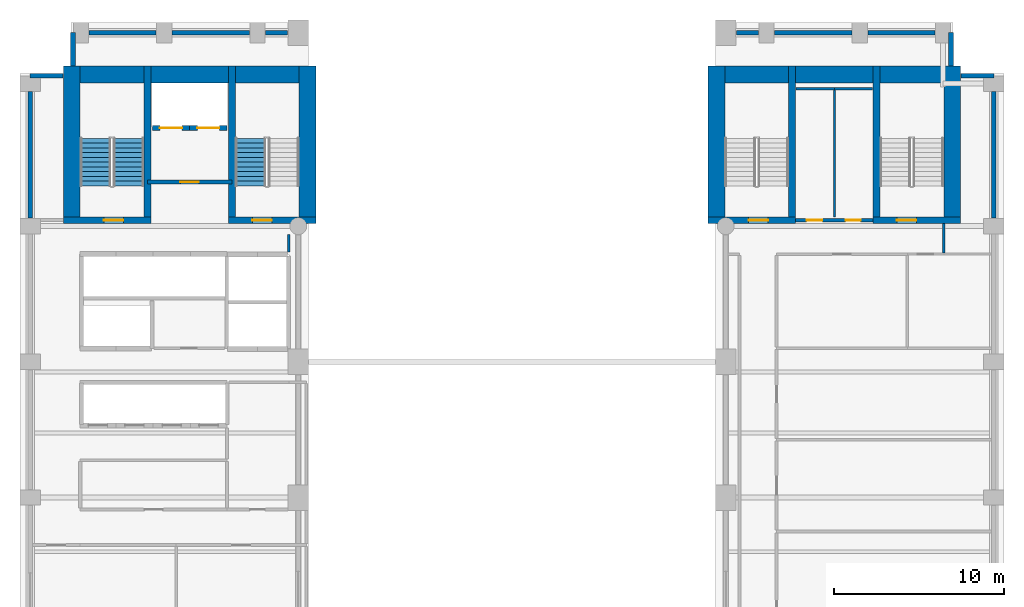
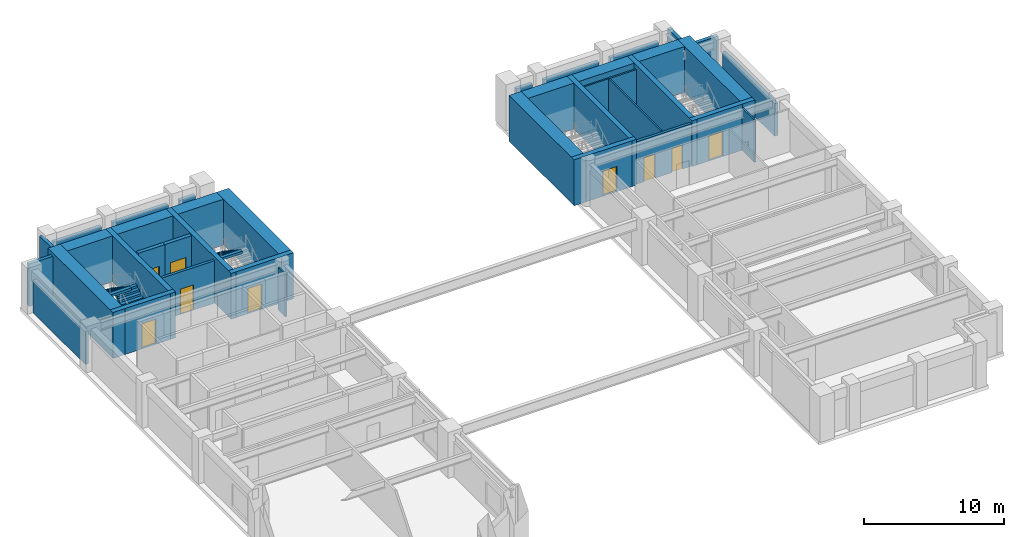
# One storey, part 4 of 7: 35 walls, 9 doors, 3 stair flights, 9 openings, 2 elements without a shape of their own.
"""IFC4 building model written with IfcOpenShell, lengths in metres."""

from ifc_helpers import new_model, si_unit, direction, frame, frame_2d, origin, place, context, subcontext, project, spatial, polyline, rectangle, outline, extrude, material, layer, layer_set, type_object, element, fill, aggregate, save


model = new_model("IFC4")

# Units and contexts
model_context = context("Model", 3, precision=1e-05, world=origin(), true_north=direction((0.0, 1.0)))
body_context = subcontext(model_context, "Body", "Model", "MODEL_VIEW")
ifc_project = project(units=[si_unit("LENGTHUNIT", "METRE"), si_unit("AREAUNIT", "SQUARE_METRE"), si_unit("VOLUMEUNIT", "CUBIC_METRE"), si_unit("PLANEANGLEUNIT", "RADIAN"), si_unit("MASSUNIT", "GRAM", prefix="KILO")], contexts=[model_context])

# Site, building, storey
site_placement = place(None, origin())
site = spatial("IfcSite", under=ifc_project, at=site_placement, CompositionType="ELEMENT")
building_placement = place(site_placement, origin())
building = spatial("IfcBuilding", under=site, at=building_placement, Name="Sulina Concourse Tower", CompositionType="ELEMENT")
storey_placement = place(building_placement, frame((0.0, 0.0, 26.60009765625)))
storey = spatial("IfcBuildingStorey", under=building, at=storey_placement, Name="L06", CompositionType="ELEMENT", Elevation=26.60009765625)

# Wall, opening, door
ifc_material_1 = material(Name="Concrete C50/60", Category="concrete")
ifc_layer_1 = layer(ifc_material_1, 0.300048828125)
ifc_layer_set_1 = layer_set([ifc_layer_1], Name="Concrete C50/60")
wall_type_1 = type_object("IfcWallType", Name="Core Lift Hoistway Wall 300mm", PredefinedType="SOLIDWALL", material=ifc_layer_set_1)
wall_1_placement = place(storey_placement, frame((10.0, 39.780029296875, 0.0), z_axis=(0.0, 0.0, 1.0), x_axis=(-1.0, 0.0, 0.0)))
wall_1 = element("IfcWall", 1, at=wall_1_placement, inside=storey, type_object=wall_type_1, Name="L06 hoistway enclosure wall FFL-1", PredefinedType="SOLIDWALL", context=body_context, shape_type="SweptSolid", body=[
    extrude(rectangle(XDim=2.199951171875, YDim=0.300048828125, at=frame_2d((1.10009765625, 0.0))), origin(), (0.0, 0.0, 1.0), 4.0),
])
opening_1_placement = place(wall_1_placement, frame((0.449951171875, 0.0, 0.0)))
opening_1 = element("IfcOpeningElement", 2, at=opening_1_placement, cuts=wall_1, Name="Opening LD-02", PredefinedType="OPENING", context=body_context, shape_type="SweptSolid", body=[
    extrude(rectangle(XDim=1.300048828125, YDim=2.25, at=frame_2d((0.64990234375, 1.125))), frame((0.0, 0.159912109375, 0.0), z_axis=(0.0, -1.0, 0.0), x_axis=(1.0, 0.0, 0.0)), (0.0, 0.0, 1.0), 0.320068359375),
])
ifc_material_2 = material(Name="Stainless steel lift landing door", Category="steel")
ifc_layer_2 = layer(ifc_material_2, 0.050048828125)
ifc_layer_set_2 = layer_set([ifc_layer_2], Name="Stainless steel lift landing door")
door_type_1 = type_object("IfcDoorType", Name="Firefighting Lift Sliding Landing Door 1300x2250", OperationType="SLIDING_TO_RIGHT", PredefinedType="DOOR", material=ifc_layer_set_2)
door_1_placement = place(opening_1_placement, origin())
door_1 = element("IfcDoor", 3, at=door_1_placement, inside=storey, type_object=door_type_1, Name="L06 lift landing sliding door FFL-1", OperationType="SLIDING_TO_LEFT", OverallHeight=2.25, OverallWidth=1.300048828125, PredefinedType="DOOR", context=body_context, shape_type="SweptSolid", body=[
    extrude(rectangle(XDim=1.300048828125, YDim=2.25, at=frame_2d((0.64990234375, 1.125))), frame((0.0, 0.02490234375, 0.0), z_axis=(0.0, -1.0, 0.0), x_axis=(1.0, 0.0, 0.0)), (0.0, 0.0, 1.0), 0.050048828125),
])
fill(opening_1, door_1)

wall_2_placement = place(storey_placement, frame((12.199951171875, 39.780029296875, 0.0), z_axis=(0.0, 0.0, 1.0), x_axis=(-1.0, 0.0, 0.0)))
wall_2 = element("IfcWall", 4, at=wall_2_placement, inside=storey, type_object=wall_type_1, Name="L06 hoistway enclosure wall FFL-2", PredefinedType="SOLIDWALL", context=body_context, shape_type="SweptSolid", body=[
    extrude(rectangle(XDim=2.199951171875, YDim=0.300048828125, at=frame_2d((1.10009765625, 0.0))), origin(), (0.0, 0.0, 1.0), 4.0),
])
opening_2_placement = place(wall_2_placement, frame((0.449951171875, 0.0, 0.0)))
opening_2 = element("IfcOpeningElement", 5, at=opening_2_placement, cuts=wall_2, Name="Opening LD-02", PredefinedType="OPENING", context=body_context, shape_type="SweptSolid", body=[
    extrude(rectangle(XDim=1.300048828125, YDim=2.25, at=frame_2d((0.64990234375, 1.125))), frame((0.0, 0.159912109375, 0.0), z_axis=(0.0, -1.0, 0.0), x_axis=(1.0, 0.0, 0.0)), (0.0, 0.0, 1.0), 0.320068359375),
])
door_2_placement = place(opening_2_placement, origin())
door_2 = element("IfcDoor", 6, at=door_2_placement, inside=storey, type_object=door_type_1, Name="L06 lift landing sliding door FFL-2", OperationType="SLIDING_TO_RIGHT", OverallHeight=2.25, OverallWidth=1.300048828125, PredefinedType="DOOR", context=body_context, shape_type="SweptSolid", body=[
    extrude(rectangle(XDim=1.300048828125, YDim=2.25, at=frame_2d((0.64990234375, 1.125))), frame((0.0, 0.02490234375, 0.0), z_axis=(0.0, -1.0, 0.0), x_axis=(1.0, 0.0, 0.0)), (0.0, 0.0, 1.0), 0.050048828125),
])
fill(opening_2, door_2)

ifc_material_3 = material(Name="Gypsum board on steel stud", Category="steel")
ifc_layer_3 = layer(ifc_material_3, 0.219970703125)
ifc_layer_set_3 = layer_set([ifc_layer_3], Name="Gypsum board on steel stud")
wall_type_2 = type_object("IfcWallType", Name="Fire-Rated Lobby & Compartment Wall 220mm", PredefinedType="PARTITIONING", material=ifc_layer_set_3)
wall_3_placement = place(storey_placement, frame((7.510009765625, 36.60009765625, 0.0), z_axis=(0.0, 0.0, 1.0), x_axis=(1.0, 0.0, 0.0)))
wall_3 = element("IfcWall", 7, at=wall_3_placement, inside=storey, type_object=wall_type_2, Name="L06 firefighting lobby south fire wall", PredefinedType="PARTITIONING", context=body_context, shape_type="SweptSolid", body=[
    extrude(rectangle(XDim=4.97998046875, YDim=0.219970703125, at=frame_2d((2.489990234375, 0.0))), origin(), (0.0, 0.0, 1.0), 3.699951171875),
])
opening_3_placement = place(wall_3_placement, frame((1.93994140625, 0.0, 0.0)))
opening_3 = element("IfcOpeningElement", 8, at=opening_3_placement, cuts=wall_3, Name="Opening DR-47", PredefinedType="OPENING", context=body_context, shape_type="SweptSolid", body=[
    extrude(rectangle(XDim=1.10009765625, YDim=2.199951171875, at=frame_2d((0.550048828125, 1.10009765625))), frame((0.0, 0.119873046875, 0.0), z_axis=(0.0, -1.0, 0.0), x_axis=(1.0, 0.0, 0.0)), (0.0, 0.0, 1.0), 0.239990234375),
])
ifc_material_4 = material(Name="Galvanised steel acoustic fire leaf", Category="steel")
ifc_layer_4 = layer(ifc_material_4, 0.054931640625)
ifc_layer_set_4 = layer_set([ifc_layer_4], Name="Galvanised steel acoustic fire leaf")
door_type_2 = type_object("IfcDoorType", Name="Firefighting Lobby Fire Door 1100x2200", OperationType="NOTDEFINED", PredefinedType="DOOR", material=ifc_layer_set_4)
door_3_placement = place(opening_3_placement, origin())
door_3 = element("IfcDoor", 9, at=door_3_placement, inside=storey, type_object=door_type_2, Name="L06 firefighting lobby fire door", OperationType="SINGLE_SWING_LEFT", OverallHeight=2.199951171875, OverallWidth=1.10009765625, PredefinedType="DOOR", context=body_context, shape_type="SweptSolid", body=[
    extrude(rectangle(XDim=1.10009765625, YDim=2.199951171875, at=frame_2d((0.550048828125, 1.10009765625))), frame((0.0, 0.02490234375, 0.0), z_axis=(0.0, -1.0, 0.0), x_axis=(1.0, 0.0, 0.0)), (0.0, 0.0, 1.0), 0.050048828125),
])
fill(opening_3, door_3)

# Wall, openings, doors
wall_4_placement = place(storey_placement, frame((45.719970703125, 34.35009765625, 0.0), z_axis=(0.0, 0.0, 1.0), x_axis=(1.0, 0.0, 0.0)))
wall_4 = element("IfcWall", 10, at=wall_4_placement, inside=storey, type_object=wall_type_2, Name="L06 east core south lobby wall", PredefinedType="PARTITIONING", context=body_context, shape_type="SweptSolid", body=[
    extrude(rectangle(XDim=4.56005859375, YDim=0.219970703125, at=frame_2d((2.280029296875, 0.0))), origin(), (0.0, 0.0, 1.0), 3.699951171875),
])
opening_4_placement = place(wall_4_placement, frame((0.64990234375, 0.0, 0.0)))
opening_4 = element("IfcOpeningElement", 11, at=opening_4_placement, cuts=wall_4, Name="Opening DR-61", PredefinedType="OPENING", context=body_context, shape_type="SweptSolid", body=[
    extrude(rectangle(XDim=0.919921875, YDim=2.10009765625, at=frame_2d((0.4599609375, 1.050048828125))), frame((0.0, 0.119873046875, 0.0), z_axis=(0.0, -1.0, 0.0), x_axis=(1.0, 0.0, 0.0)), (0.0, 0.0, 1.0), 0.239990234375),
])
opening_5_placement = place(wall_4_placement, frame((2.949951171875, 0.0, 0.0)))
opening_5 = element("IfcOpeningElement", 12, at=opening_5_placement, cuts=wall_4, Name="Opening DR-38", PredefinedType="OPENING", context=body_context, shape_type="SweptSolid", body=[
    extrude(rectangle(XDim=0.8798828125, YDim=2.10009765625, at=frame_2d((0.43994140625, 1.050048828125))), frame((0.0, 0.119873046875, 0.0), z_axis=(0.0, -1.0, 0.0), x_axis=(1.0, 0.0, 0.0)), (0.0, 0.0, 1.0), 0.239990234375),
])
ifc_material_5 = material(Name="Oak-veneered fire door leaf")
ifc_layer_5 = layer(ifc_material_5, 0.050048828125)
ifc_layer_set_5 = layer_set([ifc_layer_5], Name="Oak-veneered fire door leaf")
door_type_3 = type_object("IfcDoorType", Name="Accessible WC Door 920x2100", OperationType="NOTDEFINED", PredefinedType="DOOR", material=ifc_layer_set_5)
door_4_placement = place(opening_4_placement, origin())
door_4 = element("IfcDoor", 13, at=door_4_placement, inside=storey, type_object=door_type_3, Name="L06 east core accessible wc door", OperationType="SINGLE_SWING_LEFT", OverallHeight=2.10009765625, OverallWidth=0.919921875, PredefinedType="DOOR", context=body_context, shape_type="SweptSolid", body=[
    extrude(rectangle(XDim=0.919921875, YDim=2.10009765625, at=frame_2d((0.4599609375, 1.050048828125))), frame((0.0, 0.02490234375, 0.0), z_axis=(0.0, -1.0, 0.0), x_axis=(1.0, 0.0, 0.0)), (0.0, 0.0, 1.0), 0.050048828125),
])
fill(opening_4, door_4)
ifc_material_6 = material(Name="Galvanised steel acoustic fire leaf", Category="steel")
ifc_layer_6 = layer(ifc_material_6, 0.050048828125)
ifc_layer_set_6 = layer_set([ifc_layer_6], Name="Galvanised steel acoustic fire leaf")
door_type_4 = type_object("IfcDoorType", Name="Service Riser Fire Door 880x2100", OperationType="NOTDEFINED", PredefinedType="DOOR", material=ifc_layer_set_6)
door_5_placement = place(opening_5_placement, origin())
door_5 = element("IfcDoor", 14, at=door_5_placement, inside=storey, type_object=door_type_4, Name="L06 east core store door", OperationType="SINGLE_SWING_RIGHT", OverallHeight=2.10009765625, OverallWidth=0.8798828125, PredefinedType="DOOR", context=body_context, shape_type="SweptSolid", body=[
    extrude(rectangle(XDim=0.8798828125, YDim=2.10009765625, at=frame_2d((0.43994140625, 1.050048828125))), frame((0.0, 0.02490234375, 0.0), z_axis=(0.0, -1.0, 0.0), x_axis=(1.0, 0.0, 0.0)), (0.0, 0.0, 1.0), 0.050048828125),
])
fill(opening_5, door_5)

# Walls
ifc_material_7 = material(Name="Gypsum board on steel stud", Category="steel")
ifc_layer_7 = layer(ifc_material_7, 0.14990234375)
ifc_layer_set_7 = layer_set([ifc_layer_7], Name="Gypsum board on steel stud")
wall_type_3 = type_object("IfcWallType", Name="Inter-Tenancy Acoustic Partition 150mm", PredefinedType="PARTITIONING", material=ifc_layer_set_7)
wall_5_placement = place(storey_placement, frame((48.0, 42.10009765625, 0.0), z_axis=(0.0, 0.0, 1.0), x_axis=(1.0, 0.0, 0.0)))
element("IfcWall", 15, at=wall_5_placement, inside=storey, type_object=wall_type_3, Name="L06 interior partition 023", PredefinedType="PARTITIONING", context=body_context, shape_type="SweptSolid", body=[
    extrude(rectangle(XDim=2.25, YDim=0.14990234375, at=frame_2d((1.125, 0.0))), origin(), (0.0, 0.0, 1.0), 3.699951171875),
])
wall_6_placement = place(storey_placement, frame((15.85009765625, 32.469970703125, 0.0), z_axis=(0.0, 0.0, 1.0), x_axis=(0.0, 1.0, 0.0)))
element("IfcWall", 16, at=wall_6_placement, inside=storey, type_object=wall_type_3, Name="L06 interior partition 028", PredefinedType="PARTITIONING", context=body_context, shape_type="SweptSolid", body=[
    extrude(rectangle(XDim=1.030029296875, YDim=0.14990234375, at=frame_2d((0.51513671875, 0.0))), origin(), (0.0, 0.0, 1.0), 3.699951171875),
])
wall_7_placement = place(storey_placement, frame((54.449951171875, 32.41259765625, 0.0), z_axis=(0.0, 0.0, 1.0), x_axis=(0.0, 1.0, 0.0)))
element("IfcWall", 17, at=wall_7_placement, inside=storey, type_object=wall_type_3, Name="L06 interior partition 041", PredefinedType="PARTITIONING", context=body_context, shape_type="SweptSolid", body=[
    extrude(rectangle(XDim=1.7373046875, YDim=0.14990234375, at=frame_2d((0.86865234375, 0.0))), origin(), (0.0, 0.0, 1.0), 3.699951171875),
])

# Wall, opening, door
ifc_material_8 = material(Name="Concrete C60/75", Category="concrete")
ifc_layer_8 = layer(ifc_material_8, 0.39990234375)
ifc_layer_set_8 = layer_set([ifc_layer_8], Name="Concrete C60/75")
wall_type_4 = type_object("IfcWallType", Name="Protected Stair Core Shear Wall 400mm", PredefinedType="SHEAR", material=ifc_layer_set_8)
wall_8_placement = place(storey_placement, frame((2.550048828125, 34.35009765625, 0.0), z_axis=(0.0, 0.0, 1.0), x_axis=(1.0, 0.0, 0.0)))
wall_8 = element("IfcWall", 18, at=wall_8_placement, inside=storey, type_object=wall_type_4, Name="L06 west core shear wall CW-WS1", PredefinedType="SHEAR", context=body_context, shape_type="SweptSolid", body=[
    extrude(rectangle(XDim=5.159912109375, YDim=0.39990234375, at=frame_2d((2.580078125, 0.0))), origin(), (0.0, 0.0, 1.0), 4.0),
])
opening_6_placement = place(wall_8_placement, frame((2.39990234375, 0.0, 0.0)))
opening_6 = element("IfcOpeningElement", 19, at=opening_6_placement, cuts=wall_8, Name="Opening DR-60", PredefinedType="OPENING", context=body_context, shape_type="SweptSolid", body=[
    extrude(rectangle(XDim=1.14990234375, YDim=2.199951171875, at=frame_2d((0.574951171875, 1.10009765625))), frame((0.0, 0.2099609375, 0.0), z_axis=(0.0, -1.0, 0.0), x_axis=(1.0, 0.0, 0.0)), (0.0, 0.0, 1.0), 0.419921875),
])
ifc_material_9 = material(Name="Galvanised steel acoustic fire leaf", Category="steel")
ifc_layer_9 = layer(ifc_material_9, 0.054931640625)
ifc_layer_set_9 = layer_set([ifc_layer_9], Name="Galvanised steel acoustic fire leaf")
door_type_5 = type_object("IfcDoorType", Name="Protected Exit Stair Fire Door 1150x2200", OperationType="NOTDEFINED", PredefinedType="DOOR", material=ifc_layer_set_9)
door_6_placement = place(opening_6_placement, origin())
door_6 = element("IfcDoor", 20, at=door_6_placement, inside=storey, type_object=door_type_5, Name="L06 stair ST-1 lobby fire door", OperationType="SINGLE_SWING_LEFT", OverallHeight=2.199951171875, OverallWidth=1.14990234375, PredefinedType="DOOR", context=body_context, shape_type="SweptSolid", body=[
    extrude(rectangle(XDim=1.14990234375, YDim=2.199951171875, at=frame_2d((0.574951171875, 1.10009765625))), frame((0.0, 0.02490234375, 0.0), z_axis=(0.0, -1.0, 0.0), x_axis=(1.0, 0.0, 0.0)), (0.0, 0.0, 1.0), 0.050048828125),
])
fill(opening_6, door_6)

wall_9_placement = place(storey_placement, frame((12.2900390625, 34.35009765625, 0.0), z_axis=(0.0, 0.0, 1.0), x_axis=(1.0, 0.0, 0.0)))
wall_9 = element("IfcWall", 21, at=wall_9_placement, inside=storey, type_object=wall_type_4, Name="L06 west core shear wall CW-WS2", PredefinedType="SHEAR", context=body_context, shape_type="SweptSolid", body=[
    extrude(rectangle(XDim=5.159912109375, YDim=0.39990234375, at=frame_2d((2.580078125, 0.0))), origin(), (0.0, 0.0, 1.0), 4.0),
])
opening_7_placement = place(wall_9_placement, frame((1.39990234375, 0.0, 0.0)))
opening_7 = element("IfcOpeningElement", 22, at=opening_7_placement, cuts=wall_9, Name="Opening DR-60", PredefinedType="OPENING", context=body_context, shape_type="SweptSolid", body=[
    extrude(rectangle(XDim=1.14990234375, YDim=2.199951171875, at=frame_2d((0.574951171875, 1.10009765625))), frame((0.0, 0.2099609375, 0.0), z_axis=(0.0, -1.0, 0.0), x_axis=(1.0, 0.0, 0.0)), (0.0, 0.0, 1.0), 0.419921875),
])
door_7_placement = place(opening_7_placement, origin())
door_7 = element("IfcDoor", 23, at=door_7_placement, inside=storey, type_object=door_type_5, Name="L06 stair ST-2 lobby fire door", OperationType="SINGLE_SWING_RIGHT", OverallHeight=2.199951171875, OverallWidth=1.14990234375, PredefinedType="DOOR", context=body_context, shape_type="SweptSolid", body=[
    extrude(rectangle(XDim=1.14990234375, YDim=2.199951171875, at=frame_2d((0.574951171875, 1.10009765625))), frame((0.0, 0.02490234375, 0.0), z_axis=(0.0, -1.0, 0.0), x_axis=(1.0, 0.0, 0.0)), (0.0, 0.0, 1.0), 0.050048828125),
])
fill(opening_7, door_7)

# Walls
for number, where, z_axis, x_axis, name in (
    (24, (7.510009765625, 34.14990234375, 0.0), (0.0, 0.0, 1.0), (0.0, 1.0, 0.0), "L06 west core shear wall SW-ST1"),
    (25, (12.489990234375, 34.14990234375, 0.0), (0.0, 0.0, 1.0), (0.0, 1.0, 0.0), "L06 west core shear wall SW-ST2"),
):
    element("IfcWall", number, at=place(storey_placement, frame(where, z_axis=z_axis, x_axis=x_axis)), inside=storey, type_object=wall_type_4, Name=name, PredefinedType="SHEAR", context=body_context, shape_type="SweptSolid", body=[
        extrude(rectangle(XDim=9.280029296875, YDim=0.39990234375, at=frame_2d((4.64013671875, 0.0))), origin(), (0.0, 0.0, 1.0), 4.0),
    ])

# Wall, opening, door
wall_10_placement = place(storey_placement, frame((40.550048828125, 34.35009765625, 0.0), z_axis=(0.0, 0.0, 1.0), x_axis=(1.0, 0.0, 0.0)))
wall_10 = element("IfcWall", 26, at=wall_10_placement, inside=storey, type_object=wall_type_4, Name="L06 east core shear wall CW-ES1", PredefinedType="SHEAR", context=body_context, shape_type="SweptSolid", body=[
    extrude(rectangle(XDim=5.159912109375, YDim=0.39990234375, at=frame_2d((2.580078125, 0.0))), origin(), (0.0, 0.0, 1.0), 4.0),
])
opening_8_placement = place(wall_10_placement, frame((2.39990234375, 0.0, 0.0)))
opening_8 = element("IfcOpeningElement", 27, at=opening_8_placement, cuts=wall_10, Name="Opening DR-60", PredefinedType="OPENING", context=body_context, shape_type="SweptSolid", body=[
    extrude(rectangle(XDim=1.14990234375, YDim=2.199951171875, at=frame_2d((0.574951171875, 1.10009765625))), frame((0.0, 0.2099609375, 0.0), z_axis=(0.0, -1.0, 0.0), x_axis=(1.0, 0.0, 0.0)), (0.0, 0.0, 1.0), 0.419921875),
])
door_8_placement = place(opening_8_placement, origin())
door_8 = element("IfcDoor", 28, at=door_8_placement, inside=storey, type_object=door_type_5, Name="L06 stair ST-3 south lobby fire door", OperationType="SINGLE_SWING_RIGHT", OverallHeight=2.199951171875, OverallWidth=1.14990234375, PredefinedType="DOOR", context=body_context, shape_type="SweptSolid", body=[
    extrude(rectangle(XDim=1.14990234375, YDim=2.199951171875, at=frame_2d((0.574951171875, 1.10009765625))), frame((0.0, 0.02490234375, 0.0), z_axis=(0.0, -1.0, 0.0), x_axis=(1.0, 0.0, 0.0)), (0.0, 0.0, 1.0), 0.050048828125),
])
fill(opening_8, door_8)

# Wall
wall_11_placement = place(storey_placement, frame((45.510009765625, 34.14990234375, 0.0), z_axis=(0.0, 0.0, 1.0), x_axis=(0.0, 1.0, 0.0)))
element("IfcWall", 29, at=wall_11_placement, inside=storey, type_object=wall_type_4, Name="L06 east core shear wall SW-ST3", PredefinedType="SHEAR", context=body_context, shape_type="SweptSolid", body=[
    extrude(rectangle(XDim=9.280029296875, YDim=0.39990234375, at=frame_2d((4.64013671875, 0.0))), origin(), (0.0, 0.0, 1.0), 4.0),
])

# Wall, opening, door
wall_12_placement = place(storey_placement, frame((50.2900390625, 34.35009765625, 0.0), z_axis=(0.0, 0.0, 1.0), x_axis=(1.0, 0.0, 0.0)))
wall_12 = element("IfcWall", 30, at=wall_12_placement, inside=storey, type_object=wall_type_4, Name="L06 east core shear wall CW-ES2", PredefinedType="SHEAR", context=body_context, shape_type="SweptSolid", body=[
    extrude(rectangle(XDim=5.159912109375, YDim=0.39990234375, at=frame_2d((2.580078125, 0.0))), origin(), (0.0, 0.0, 1.0), 4.0),
])
opening_9_placement = place(wall_12_placement, frame((1.39990234375, 0.0, 0.0)))
opening_9 = element("IfcOpeningElement", 31, at=opening_9_placement, cuts=wall_12, Name="Opening DR-60", PredefinedType="OPENING", context=body_context, shape_type="SweptSolid", body=[
    extrude(rectangle(XDim=1.14990234375, YDim=2.199951171875, at=frame_2d((0.574951171875, 1.10009765625))), frame((0.0, 0.2099609375, 0.0), z_axis=(0.0, -1.0, 0.0), x_axis=(1.0, 0.0, 0.0)), (0.0, 0.0, 1.0), 0.419921875),
])
door_9_placement = place(opening_9_placement, origin())
door_9 = element("IfcDoor", 32, at=door_9_placement, inside=storey, type_object=door_type_5, Name="L06 stair ST-4 south lobby fire door", OperationType="SINGLE_SWING_LEFT", OverallHeight=2.199951171875, OverallWidth=1.14990234375, PredefinedType="DOOR", context=body_context, shape_type="SweptSolid", body=[
    extrude(rectangle(XDim=1.14990234375, YDim=2.199951171875, at=frame_2d((0.574951171875, 1.10009765625))), frame((0.0, 0.02490234375, 0.0), z_axis=(0.0, -1.0, 0.0), x_axis=(1.0, 0.0, 0.0)), (0.0, 0.0, 1.0), 0.050048828125),
])
fill(opening_9, door_9)

# Walls
wall_13_placement = place(storey_placement, frame((50.489990234375, 34.14990234375, 0.0), z_axis=(0.0, 0.0, 1.0), x_axis=(0.0, 1.0, 0.0)))
element("IfcWall", 33, at=wall_13_placement, inside=storey, type_object=wall_type_4, Name="L06 east core shear wall SW-ST4", PredefinedType="SHEAR", context=body_context, shape_type="SweptSolid", body=[
    extrude(rectangle(XDim=9.280029296875, YDim=0.39990234375, at=frame_2d((4.64013671875, 0.0))), origin(), (0.0, 0.0, 1.0), 4.0),
])
ifc_material_10 = material(Name="Concrete C80/95", Category="concrete")
ifc_layer_10 = layer(ifc_material_10, 1.0)
ifc_layer_set_10 = layer_set([ifc_layer_10], Name="Concrete C80/95")
wall_type_5 = type_object("IfcWallType", Name="Rear Core Shear Wall 1000mm", PredefinedType="SHEAR", material=ifc_layer_set_10)
wall_14_placement = place(storey_placement, frame((2.550048828125, 42.929931640625, 0.0), z_axis=(0.0, 0.0, 1.0), x_axis=(1.0, 0.0, 0.0)))
element("IfcWall", 34, at=wall_14_placement, inside=storey, type_object=wall_type_5, Name="L06 west core shear wall CW-WN", PredefinedType="SHEAR", context=body_context, shape_type="SweptSolid", body=[
    extrude(rectangle(XDim=14.89990234375, YDim=1.0, at=frame_2d((7.449951171875, 0.0))), origin(), (0.0, 0.0, 1.0), 4.0),
])
for number, where, z_axis, x_axis, name in (
    (35, (3.050048828125, 34.14990234375, 0.0), (0.0, 0.0, 1.0), (0.0, 1.0, 0.0), "L06 west core shear wall CW-WW"),
    (36, (16.949951171875, 34.14990234375, 0.0), (0.0, 0.0, 1.0), (0.0, 1.0, 0.0), "L06 west core shear wall CW-WE"),
):
    element("IfcWall", number, at=place(storey_placement, frame(where, z_axis=z_axis, x_axis=x_axis)), inside=storey, type_object=wall_type_5, Name=name, PredefinedType="SHEAR", context=body_context, shape_type="SweptSolid", body=[
        extrude(rectangle(XDim=9.280029296875, YDim=1.0, at=frame_2d((4.64013671875, 0.0))), origin(), (0.0, 0.0, 1.0), 4.0),
    ])
wall_15_placement = place(storey_placement, frame((40.550048828125, 42.929931640625, 0.0), z_axis=(0.0, 0.0, 1.0), x_axis=(1.0, 0.0, 0.0)))
element("IfcWall", 37, at=wall_15_placement, inside=storey, type_object=wall_type_5, Name="L06 east core shear wall CW-EN", PredefinedType="SHEAR", context=body_context, shape_type="SweptSolid", body=[
    extrude(rectangle(XDim=14.89990234375, YDim=1.0, at=frame_2d((7.449951171875, 0.0))), origin(), (0.0, 0.0, 1.0), 4.0),
])
for number, where, z_axis, x_axis, name in (
    (38, (41.050048828125, 34.14990234375, 0.0), (0.0, 0.0, 1.0), (0.0, 1.0, 0.0), "L06 east core shear wall CW-EW"),
    (39, (54.949951171875, 34.14990234375, 0.0), (0.0, 0.0, 1.0), (0.0, 1.0, 0.0), "L06 east core shear wall CW-EE"),
):
    element("IfcWall", number, at=place(storey_placement, frame(where, z_axis=z_axis, x_axis=x_axis)), inside=storey, type_object=wall_type_5, Name=name, PredefinedType="SHEAR", context=body_context, shape_type="SweptSolid", body=[
        extrude(rectangle(XDim=9.280029296875, YDim=1.0, at=frame_2d((4.64013671875, 0.0))), origin(), (0.0, 0.0, 1.0), 4.0),
    ])
ifc_material_11 = material(Name="Precast concrete C50/60", Category="concrete")
ifc_layer_11 = layer(ifc_material_11, 0.280029296875)
ifc_layer_set_11 = layer_set([ifc_layer_11], Name="Precast concrete C50/60")
wall_type_6 = type_object("IfcWallType", Name="Typical Precast Masonry-Frame Facade Wall 280mm", PredefinedType="SOLIDWALL", material=ifc_layer_set_11)
wall_16_placement = place(storey_placement, frame((0.60009765625, 34.469970703125, 0.0), z_axis=(0.0, 0.0, 1.0), x_axis=(0.0, 1.0, 0.0)))
element("IfcWall", 40, at=wall_16_placement, inside=storey, type_object=wall_type_6, Name="L06 exterior precast wall W5", PredefinedType="SOLIDWALL", context=body_context, shape_type="SweptSolid", body=[
    extrude(rectangle(XDim=7.4599609375, YDim=0.280029296875, at=frame_2d((3.72998046875, 0.0))), origin(), (0.0, 0.0, 1.0), 2.849853515625),
])
wall_17_placement = place(storey_placement, frame((4.070068359375, 45.39990234375, 0.0), z_axis=(0.0, 0.0, 1.0), x_axis=(1.0, 0.0, 0.0)))
element("IfcWall", 41, at=wall_17_placement, inside=storey, type_object=wall_type_6, Name="L06 exterior precast wall N1", PredefinedType="SOLIDWALL", context=body_context, shape_type="SweptSolid", body=[
    extrude(rectangle(XDim=3.9599609375, YDim=0.280029296875, at=frame_2d((1.97998046875, 0.0))), origin(), (0.0, 0.0, 1.0), 2.849853515625),
])
wall_18_placement = place(storey_placement, frame((8.969970703125, 45.39990234375, 0.0), z_axis=(0.0, 0.0, 1.0), x_axis=(1.0, 0.0, 0.0)))
element("IfcWall", 42, at=wall_18_placement, inside=storey, type_object=wall_type_6, Name="L06 exterior precast wall N2", PredefinedType="SOLIDWALL", context=body_context, shape_type="SweptSolid", body=[
    extrude(rectangle(XDim=4.56005859375, YDim=0.280029296875, at=frame_2d((2.280029296875, 0.0))), origin(), (0.0, 0.0, 1.0), 2.849853515625),
])
for number, where, z_axis, x_axis, name in (
    (43, (14.469970703125, 45.39990234375, 0.0), (0.0, 0.0, 1.0), (1.0, 0.0, 0.0), "L06 exterior precast wall N3"),
    (44, (42.219970703125, 45.39990234375, 0.0), (0.0, 0.0, 1.0), (1.0, 0.0, 0.0), "L06 exterior precast wall N5"),
):
    element("IfcWall", number, at=place(storey_placement, frame(where, z_axis=z_axis, x_axis=x_axis)), inside=storey, type_object=wall_type_6, Name=name, PredefinedType="SOLIDWALL", context=body_context, shape_type="SweptSolid", body=[
        extrude(rectangle(XDim=1.31005859375, YDim=0.280029296875, at=frame_2d((0.655029296875, 0.0))), origin(), (0.0, 0.0, 1.0), 2.849853515625),
    ])
wall_19_placement = place(storey_placement, frame((44.469970703125, 45.39990234375, 0.0), z_axis=(0.0, 0.0, 1.0), x_axis=(1.0, 0.0, 0.0)))
element("IfcWall", 45, at=wall_19_placement, inside=storey, type_object=wall_type_6, Name="L06 exterior precast wall N6", PredefinedType="SOLIDWALL", context=body_context, shape_type="SweptSolid", body=[
    extrude(rectangle(XDim=4.56005859375, YDim=0.280029296875, at=frame_2d((2.280029296875, 0.0))), origin(), (0.0, 0.0, 1.0), 2.849853515625),
])
wall_20_placement = place(storey_placement, frame((49.969970703125, 45.39990234375, 0.0), z_axis=(0.0, 0.0, 1.0), x_axis=(1.0, 0.0, 0.0)))
element("IfcWall", 46, at=wall_20_placement, inside=storey, type_object=wall_type_6, Name="L06 exterior precast wall N7", PredefinedType="SOLIDWALL", context=body_context, shape_type="SweptSolid", body=[
    extrude(rectangle(XDim=3.9599609375, YDim=0.280029296875, at=frame_2d((1.97998046875, 0.0))), origin(), (0.0, 0.0, 1.0), 2.849853515625),
])
wall_21_placement = place(storey_placement, frame((57.39990234375, 41.929931640625, 0.0), z_axis=(0.0, 0.0, 1.0), x_axis=(0.0, -1.0, 0.0)))
element("IfcWall", 47, at=wall_21_placement, inside=storey, type_object=wall_type_6, Name="L06 exterior precast wall E5", PredefinedType="SOLIDWALL", context=body_context, shape_type="SweptSolid", body=[
    extrude(rectangle(XDim=7.4599609375, YDim=0.280029296875, at=frame_2d((3.72998046875, 0.0))), origin(), (0.0, 0.0, 1.0), 2.849853515625),
])
wall_22_placement = place(storey_placement, frame((0.60009765625, 42.8701171875, 0.0), z_axis=(0.0, 0.0, 1.0), x_axis=(1.0, 0.0, 0.0)))
element("IfcWall", 48, at=wall_22_placement, inside=storey, type_object=wall_type_6, Name="L06 exterior precast wall CNW1", PredefinedType="SOLIDWALL", context=body_context, shape_type="SweptSolid", body=[
    extrude(rectangle(XDim=1.94482421875, YDim=0.280029296875, at=frame_2d((0.972412109375, 0.0))), origin(), (0.0, 0.0, 1.0), 3.699951171875),
])
for number, where, z_axis, x_axis, name in (
    (49, (3.1298828125, 43.43505859375, 0.0), (0.0, 0.0, 1.0), (0.0, 1.0, 0.0), "L06 exterior precast wall CNW2"),
    (50, (54.8701171875, 45.39990234375, 0.0), (0.0, 0.0, 1.0), (0.0, -1.0, 0.0), "L06 exterior precast wall CNE1"),
):
    element("IfcWall", number, at=place(storey_placement, frame(where, z_axis=z_axis, x_axis=x_axis)), inside=storey, type_object=wall_type_6, Name=name, PredefinedType="SOLIDWALL", context=body_context, shape_type="SweptSolid", body=[
        extrude(rectangle(XDim=1.96484375, YDim=0.280029296875, at=frame_2d((0.982421875, 0.0))), origin(), (0.0, 0.0, 1.0), 3.699951171875),
    ])
wall_23_placement = place(storey_placement, frame((55.455078125, 42.8701171875, 0.0), z_axis=(0.0, 0.0, 1.0), x_axis=(1.0, 0.0, 0.0)))
element("IfcWall", 51, at=wall_23_placement, inside=storey, type_object=wall_type_6, Name="L06 exterior precast wall CNE2", PredefinedType="SOLIDWALL", context=body_context, shape_type="SweptSolid", body=[
    extrude(rectangle(XDim=1.94482421875, YDim=0.280029296875, at=frame_2d((0.972412109375, 0.0))), origin(), (0.0, 0.0, 1.0), 3.699951171875),
])
ifc_material_12 = material(Name="Gypsum board on steel stud", Category="steel")
ifc_layer_12 = layer(ifc_material_12, 0.125)
ifc_layer_set_12 = layer_set([ifc_layer_12], Name="Gypsum board on steel stud")
wall_type_7 = type_object("IfcWallType", Name="Wet-Area Moisture-Resistant Partition 125mm", PredefinedType="PARTITIONING", material=ifc_layer_set_12)
wall_24_placement = place(storey_placement, frame((45.75, 42.10009765625, 0.0), z_axis=(0.0, 0.0, 1.0), x_axis=(1.0, 0.0, 0.0)))
element("IfcWall", 52, at=wall_24_placement, inside=storey, type_object=wall_type_7, Name="L06 interior partition 022", PredefinedType="PARTITIONING", context=body_context, shape_type="SweptSolid", body=[
    extrude(rectangle(XDim=2.25, YDim=0.125, at=frame_2d((1.125, 0.0))), origin(), (0.0, 0.0, 1.0), 3.699951171875),
])
wall_25_placement = place(storey_placement, frame((48.0, 34.550048828125, 0.0), z_axis=(0.0, 0.0, 1.0), x_axis=(0.0, 1.0, 0.0)))
element("IfcWall", 53, at=wall_25_placement, inside=storey, type_object=wall_type_7, Name="L06 interior partition 039", PredefinedType="PARTITIONING", context=body_context, shape_type="SweptSolid", body=[
    extrude(rectangle(XDim=7.474853515625, YDim=0.125, at=frame_2d((3.7373046875, 0.0))), origin(), (0.0, 0.0, 1.0), 3.699951171875),
])

# Stair, stair flights
ifc_material_13 = material(Name="Concrete C50/60", Category="concrete")
stair_type = type_object("IfcStairType", Name="Primary Core Dog-Leg Exit Stair 1800mm", PredefinedType="HALF_TURN_STAIR", material=ifc_material_13)
stair_1_placement = place(storey_placement, origin())
stair_1 = element("IfcStair", 54, at=stair_1_placement, inside=storey, type_object=stair_type, Name="L06 ST-1", PredefinedType="HALF_TURN_STAIR")
ifc_material_14 = material(Name="Concrete C50/60", Category="concrete")
stair_flight_type = type_object("IfcStairFlightType", Name="Primary Core Dog-Leg Exit Stair 1800mm Flight", PredefinedType="STRAIGHT", material=ifc_material_14)
stair_flight_1_placement = place(storey_placement, frame((6.405029296875, 36.375, 0.0), z_axis=(0.0, 0.0, 1.0), x_axis=(0.0, 1.0, 0.0)))
stair_flight_1 = element("IfcStairFlight", 55, at=stair_flight_1_placement, type_object=stair_flight_type, Name="ST-1 flight 1", NumberOfRisers=11, NumberOfTreads=10, PredefinedType="STRAIGHT", RiserHeight=0.181818182, TreadLength=0.28, context=body_context, shape_type="SweptSolid", body=[
    extrude(outline(polyline([(0.0, 0.0), (0.0, 0.181884765625), (0.280029296875, 0.181884765625), (0.280029296875, 0.363525390625), (0.56005859375, 0.363525390625), (0.56005859375, 0.54541015625), (0.840087890625, 0.54541015625), (0.840087890625, 0.727294921875), (1.1201171875, 0.727294921875), (1.1201171875, 0.9091796875), (1.39990234375, 0.9091796875), (1.39990234375, 1.0908203125), (1.679931640625, 1.0908203125), (1.679931640625, 1.272705078125), (1.9599609375, 1.272705078125), (1.9599609375, 1.45458984375), (2.239990234375, 1.45458984375), (2.239990234375, 1.636474609375), (2.52001953125, 1.636474609375), (2.52001953125, 1.818115234375), (2.800048828125, 1.818115234375), (2.800048828125, 2.0), (2.800048828125, 1.603759765625), (0.330322265625, 0.0), (0.0, 0.0)])), frame((0.0, 0.89990234375, 0.0), z_axis=(0.0, -1.0, 0.0), x_axis=(1.0, 0.0, 0.0)), (0.0, 0.0, 1.0), 1.800048828125),
])
stair_flight_2_placement = place(storey_placement, frame((4.455078125, 39.175048828125, 2.0), z_axis=(0.0, 0.0, 1.0), x_axis=(0.0, -1.0, 0.0)))
stair_flight_2 = element("IfcStairFlight", 56, at=stair_flight_2_placement, type_object=stair_flight_type, Name="ST-1 flight 2", NumberOfRisers=11, NumberOfTreads=10, PredefinedType="STRAIGHT", RiserHeight=0.181818182, TreadLength=0.28, context=body_context, shape_type="SweptSolid", body=[
    extrude(outline(polyline([(0.0, 0.0), (0.0, 0.181884765625), (0.280029296875, 0.181884765625), (0.280029296875, 0.363525390625), (0.56005859375, 0.363525390625), (0.56005859375, 0.54541015625), (0.840087890625, 0.54541015625), (0.840087890625, 0.727294921875), (1.1201171875, 0.727294921875), (1.1201171875, 0.9091796875), (1.39990234375, 0.9091796875), (1.39990234375, 1.0908203125), (1.679931640625, 1.0908203125), (1.679931640625, 1.272705078125), (1.9599609375, 1.272705078125), (1.9599609375, 1.45458984375), (2.239990234375, 1.45458984375), (2.239990234375, 1.636474609375), (2.52001953125, 1.636474609375), (2.52001953125, 1.818115234375), (2.800048828125, 1.818115234375), (2.800048828125, 2.0), (2.800048828125, 1.603759765625), (0.330322265625, 0.0), (0.0, 0.0)])), frame((0.0, 0.89990234375, 0.0), z_axis=(0.0, -1.0, 0.0), x_axis=(1.0, 0.0, 0.0)), (0.0, 0.0, 1.0), 1.800048828125),
])
aggregate(stair_1, [stair_flight_1, stair_flight_2])

# Stair, stair flight
stair_2_placement = place(storey_placement, origin())
stair_2 = element("IfcStair", 57, at=stair_2_placement, inside=storey, type_object=stair_type, Name="L06 ST-2", PredefinedType="HALF_TURN_STAIR")
stair_flight_3_placement = place(storey_placement, frame((13.594970703125, 39.175048828125, 2.0), z_axis=(0.0, 0.0, 1.0), x_axis=(0.0, -1.0, 0.0)))
stair_flight_3 = element("IfcStairFlight", 58, at=stair_flight_3_placement, type_object=stair_flight_type, Name="ST-2 flight 2", NumberOfRisers=11, NumberOfTreads=10, PredefinedType="STRAIGHT", RiserHeight=0.181818182, TreadLength=0.28, context=body_context, shape_type="SweptSolid", body=[
    extrude(outline(polyline([(0.0, 0.0), (0.0, 0.181884765625), (0.280029296875, 0.181884765625), (0.280029296875, 0.363525390625), (0.56005859375, 0.363525390625), (0.56005859375, 0.54541015625), (0.840087890625, 0.54541015625), (0.840087890625, 0.727294921875), (1.1201171875, 0.727294921875), (1.1201171875, 0.9091796875), (1.39990234375, 0.9091796875), (1.39990234375, 1.0908203125), (1.679931640625, 1.0908203125), (1.679931640625, 1.272705078125), (1.9599609375, 1.272705078125), (1.9599609375, 1.45458984375), (2.239990234375, 1.45458984375), (2.239990234375, 1.636474609375), (2.52001953125, 1.636474609375), (2.52001953125, 1.818115234375), (2.800048828125, 1.818115234375), (2.800048828125, 2.0), (2.800048828125, 1.603759765625), (0.330322265625, 0.0), (0.0, 0.0)])), frame((0.0, 0.89990234375, 0.0), z_axis=(0.0, -1.0, 0.0), x_axis=(1.0, 0.0, 0.0)), (0.0, 0.0, 1.0), 1.800048828125),
])
aggregate(stair_2, [stair_flight_3])

save(model, "model.ifc")
